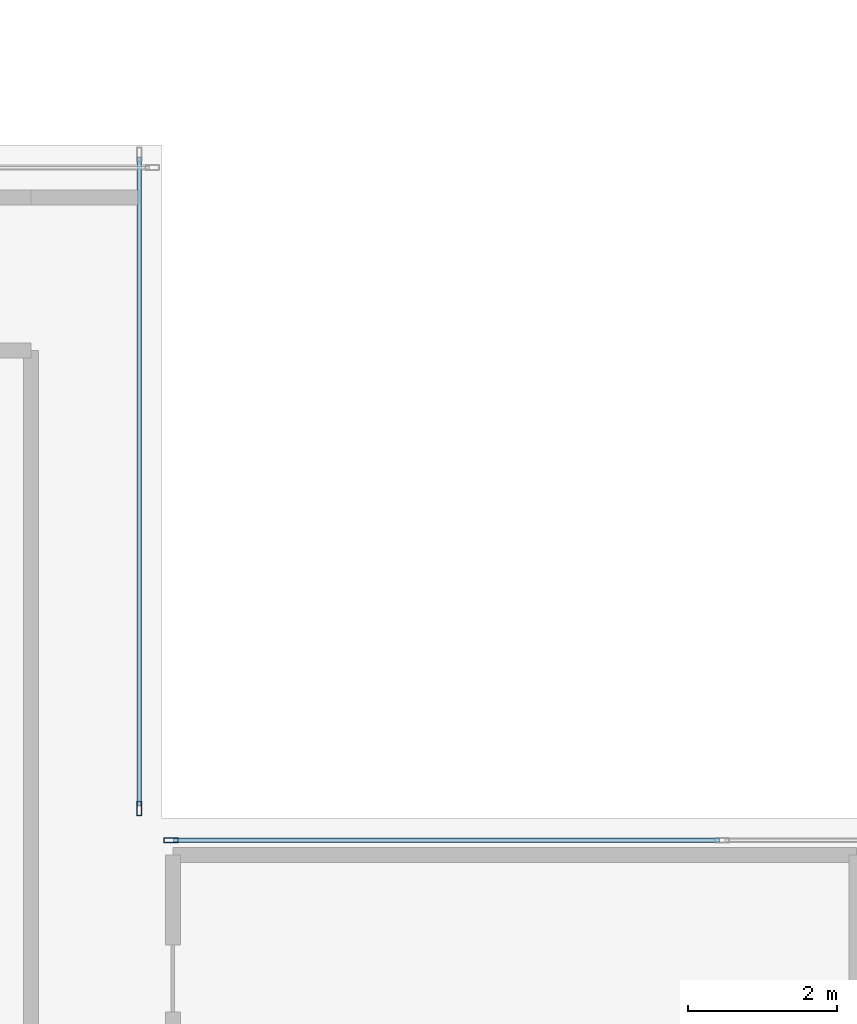
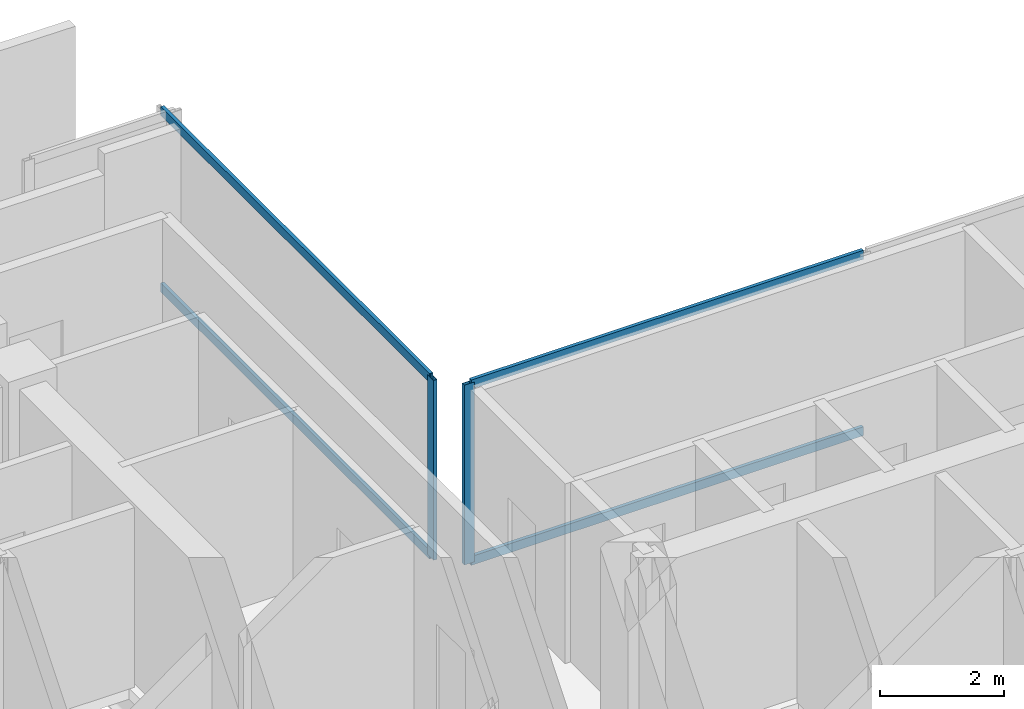
# One storey, part 9 of 22: 6 members, 2 elements without a shape of their own.
"""IFC4 building model written with IfcOpenShell, lengths in metres."""

import ifcopenshell
import ifcopenshell.guid

model = None  # the IFC model being written
_history = None  # IfcOwnerHistory: only IFC2X3 demands one
_inside = {}  # id of a spatial element -> (the spatial element, [elements in it])
_under = {}  # id of a project, library or spatial element -> (it, [spatial elements below it])
_declared = {}  # id of a project -> (the project, [libraries it declares])
_typed = {}  # id of a type object -> (the type object, [elements of that type])
_made_of = {}  # id of a material, layer set ... -> (it, [elements and type objects made of it])


def new_model(schema):
    """Start an empty IFC model of exactly this schema.

    Asked for "IFC4X3", IfcOpenShell would pick the latest addendum, in which some entities
    have other attributes; the version numbers below select the first issue.
    IFC2X3 requires an IfcOwnerHistory on every rooted entity: one is made here for all.
    """
    global model, _history
    if schema == "IFC4X3":
        model = ifcopenshell.file(schema_version=(4, 3, 0, 0))
    else:
        model = ifcopenshell.file(schema=schema)
    _inside.clear()
    _under.clear()
    _declared.clear()
    _typed.clear()
    _made_of.clear()
    _history = None
    if model.schema == "IFC2X3":
        org = make("IfcOrganization", Name="unknown")
        user = make(
            "IfcPersonAndOrganization",
            ThePerson=make("IfcPerson", FamilyName="unknown"),
            TheOrganization=org,
        )
        app = make(
            "IfcApplication",
            ApplicationDeveloper=org,
            Version="unknown",
            ApplicationFullName="unknown",
            ApplicationIdentifier="unknown",
        )
        _history = make(
            "IfcOwnerHistory",
            OwningUser=user,
            OwningApplication=app,
            ChangeAction="ADDED",
            CreationDate=0,
        )
    return model


def make(cls, **values):
    """One entity of the class cls with the attributes given. An attribute that is None is left unset."""
    return model.create_entity(
        cls, **{name: value for name, value in values.items() if value is not None}
    )


def rooted(cls, **values):
    """An entity with a GlobalId (a new one), such as an element, a storey or a relation."""
    return make(cls, GlobalId=ifcopenshell.guid.new(), OwnerHistory=_history, **values)


def si_unit(unit_type, name, prefix=None):
    """IfcSIUnit, for example si_unit("LENGTHUNIT", "METRE", prefix="MILLI")."""
    return make("IfcSIUnit", UnitType=unit_type, Prefix=prefix, Name=name)


def assignment(units):
    """IfcUnitAssignment: the units of a project."""
    return None if units is None else make("IfcUnitAssignment", Units=units)


def point(xyz):
    """IfcCartesianPoint."""
    return None if xyz is None else make("IfcCartesianPoint", Coordinates=xyz)


def direction(xyz):
    """IfcDirection."""
    return None if xyz is None else make("IfcDirection", DirectionRatios=xyz)


def frame(location, z_axis=None, x_axis=None):
    """IfcAxis2Placement3D, a coordinate frame: its origin and axes. An axis left out is left unset."""
    return make(
        "IfcAxis2Placement3D",
        Location=point(location),
        Axis=direction(z_axis),
        RefDirection=direction(x_axis),
    )


def frame_2d(location, x_axis=None):
    """IfcAxis2Placement2D, a coordinate frame in the plane: its origin and x axis."""
    return make(
        "IfcAxis2Placement2D", Location=point(location), RefDirection=direction(x_axis)
    )


def origin():
    """The frame at (0, 0, 0) with its axes left unset."""
    return frame((0.0, 0.0, 0.0))


def origin_2d():
    """The frame at (0, 0) in the plane with its x axis left unset."""
    return frame_2d((0.0, 0.0))


def place(relative_to, where):
    """IfcLocalPlacement: puts the frame where relative to a parent placement (None: the world)."""
    return make(
        "IfcLocalPlacement", PlacementRelTo=relative_to, RelativePlacement=where
    )


def context(
    kind, dimensions, precision=None, world=None, true_north=None, identifier=None
):
    """IfcGeometricRepresentationContext, for example the 3D "Model" context."""
    return make(
        "IfcGeometricRepresentationContext",
        ContextIdentifier=identifier,
        ContextType=kind,
        CoordinateSpaceDimension=dimensions,
        Precision=precision,
        WorldCoordinateSystem=world,
        TrueNorth=true_north,
    )


def subcontext(parent, identifier, kind, view, scale=None):
    """IfcGeometricRepresentationSubContext, for example "Body" below "Model"."""
    return make(
        "IfcGeometricRepresentationSubContext",
        ContextIdentifier=identifier,
        ContextType=kind,
        ParentContext=parent,
        TargetScale=scale,
        TargetView=view,
    )


def project(units=None, contexts=None):
    """IfcProject with its units and contexts."""
    return rooted(
        "IfcProject",
        Name="project",
        RepresentationContexts=contexts,
        UnitsInContext=assignment(units),
    )


def spatial(cls, under=None, at=None, **own):
    """A site, building, storey or space (cls), placed at a placement, below another one or the project."""
    s = rooted(cls, ObjectPlacement=at, **own)
    if under is not None:
        _under.setdefault(under.id(), (under, []))[1].append(s)
    return s


def profile(cls, at=None, kind="AREA", **sizes):
    """A parametric profile (cls). Its sizes go by their IFC names, for example OverallWidth=200.0."""
    return make(cls, ProfileType=kind, Position=at, **sizes)


def hollow_rectangle(**sizes):
    """IfcRectangleHollowProfileDef."""
    return profile("IfcRectangleHollowProfileDef", **sizes)


def extrude(swept, where, along, depth):
    """IfcExtrudedAreaSolid: the profile swept, set in the frame where, extruded along a direction by depth."""
    return make(
        "IfcExtrudedAreaSolid",
        SweptArea=swept,
        Position=where,
        ExtrudedDirection=direction(along),
        Depth=depth,
    )


def shape(context_of_items, identifier, shape_type, items):
    """IfcShapeRepresentation: the items that make up one representation, for example the "Body"."""
    return make(
        "IfcShapeRepresentation",
        ContextOfItems=context_of_items,
        RepresentationIdentifier=identifier,
        RepresentationType=shape_type,
        Items=items,
    )


def material(Name=None, Category=None):
    """IfcMaterial."""
    return make("IfcMaterial", Name=Name, Category=Category)


def layer(
    of_material, thickness, ventilated=None, Name=None, Category=None, Priority=None
):
    """IfcMaterialLayer: one layer of a wall or slab, of a material (None: an air gap)."""
    return make(
        "IfcMaterialLayer",
        Material=of_material,
        LayerThickness=thickness,
        IsVentilated=ventilated,
        Name=Name,
        Category=Category,
        Priority=Priority,
    )


def layer_set(layers, Name=None):
    """IfcMaterialLayerSet."""
    return make("IfcMaterialLayerSet", MaterialLayers=layers, LayerSetName=Name)


def material_profile(
    of_material, cross_section, Name=None, Category=None, Priority=None
):
    """IfcMaterialProfile: a cross section and its material."""
    return make(
        "IfcMaterialProfile",
        Name=Name,
        Material=of_material,
        Profile=cross_section,
        Priority=Priority,
        Category=Category,
    )


def profile_set(profiles, Name=None, composite=None):
    """IfcMaterialProfileSet."""
    return make(
        "IfcMaterialProfileSet",
        Name=Name,
        MaterialProfiles=profiles,
        CompositeProfile=composite,
    )


def made_of(thing, what):
    """Note that an element or type object is made of a material, layer set ...; save() writes the relation."""
    if what is not None:
        _made_of.setdefault(what.id(), (what, []))[1].append(thing)
    return thing


def type_object(cls, material=None, **own):
    """A type object (cls), such as IfcWallType, which elements share."""
    return made_of(rooted(cls, **own), material)


def element(
    cls,
    number,
    at=None,
    inside=None,
    cuts=None,
    type_object=None,
    material=None,
    context=None,
    identifier="Body",
    shape_type=None,
    held_by="IfcProductDefinitionShape",
    body=None,
    shapes=None,
    **own,
):
    """One element of the class cls, such as IfcWall. Its Tag is "e" and its number.

    at: its placement. inside: the storey or other place that contains it. cuts: it is an
    opening in that element (IfcRelVoidsElement). A single representation is given by context,
    identifier, shape_type and body (its items); several are given by shapes. held_by: the class
    of the entity that holds the representations. save() writes the other relations.
    """
    e = rooted(cls, Tag="e%d" % number, ObjectPlacement=at, **own)
    if body is not None:
        shapes = [shape(context, identifier, shape_type, body)]
    if shapes is not None:
        e.Representation = make(held_by, Representations=shapes)
    if inside is not None:
        _inside.setdefault(inside.id(), (inside, []))[1].append(e)
    if cuts is not None:
        rooted(
            "IfcRelVoidsElement", RelatingBuildingElement=cuts, RelatedOpeningElement=e
        )
    if type_object is not None:
        _typed.setdefault(type_object.id(), (type_object, []))[1].append(e)
    return made_of(e, material)


def aggregate(whole, parts):
    """IfcRelAggregates: a whole, such as a stair, and the parts it consists of."""
    return rooted("IfcRelAggregates", RelatingObject=whole, RelatedObjects=parts)


def save(model, path):
    """Write the relations noted so far, then the file.

    IfcRelAggregates (storeys below a building ...), IfcRelContainedInSpatialStructure (elements
    in a storey), IfcRelDefinesByType, IfcRelAssociatesMaterial and IfcRelDeclares: one each for
    every whole, place, type object, material and project.
    """
    for whole, parts in _under.values():
        aggregate(whole, parts)
    for where, things in _inside.values():
        rooted(
            "IfcRelContainedInSpatialStructure",
            RelatedElements=things,
            RelatingStructure=where,
        )
    for kind, things in _typed.values():
        rooted("IfcRelDefinesByType", RelatedObjects=things, RelatingType=kind)
    for what, things in _made_of.values():
        rooted("IfcRelAssociatesMaterial", RelatedObjects=things, RelatingMaterial=what)
    for by, libraries in _declared.values():
        rooted("IfcRelDeclares", RelatingContext=by, RelatedDefinitions=libraries)
    model.write(path)


model = new_model("IFC4")

# Units and contexts
model_context = context("Model", 3, precision=1e-05, world=origin(), true_north=direction((0.0, 1.0)))
body_context = subcontext(model_context, "Body", "Model", "MODEL_VIEW")
ifc_project = project(units=[si_unit("LENGTHUNIT", "METRE"), si_unit("AREAUNIT", "SQUARE_METRE"), si_unit("VOLUMEUNIT", "CUBIC_METRE"), si_unit("PLANEANGLEUNIT", "RADIAN"), si_unit("MASSUNIT", "GRAM", prefix="KILO"), si_unit("THERMODYNAMICTEMPERATUREUNIT", "KELVIN"), si_unit("POWERUNIT", "WATT")], contexts=[model_context])

# Site, building, storey
site_placement = place(None, origin())
site = spatial("IfcSite", under=ifc_project, at=site_placement, CompositionType="ELEMENT")
building_placement = place(site_placement, origin())
building = spatial("IfcBuilding", under=site, at=building_placement, Name="Svarakhadi Broadcast Tower", CompositionType="ELEMENT")
storey_placement = place(building_placement, frame((0.0, 0.0, 176.699951171875)))
storey = spatial("IfcBuildingStorey", under=building, at=storey_placement, Name="L43", CompositionType="ELEMENT", Elevation=176.699951171875)

# Curtain wall, member
ifc_material = material(Name="Anodised Bronze Aluminium AA 6063-T6", Category="aluminium")
ifc_layer = layer(ifc_material, 0.18994140625)
ifc_layer_set = layer_set([ifc_layer], Name="Anodised Bronze Aluminium AA 6063-T6")
curtain_wall_type = type_object("IfcCurtainWallType", Name="CW_Sys_04", PredefinedType="NOTDEFINED", material=ifc_layer_set)
curtain_wall_1_placement = place(storey_placement, origin())
curtain_wall_1 = element("IfcCurtainWall", 1, at=curtain_wall_1_placement, inside=storey, type_object=curtain_wall_type, Name="L43 Unitised Facade Curtain Wall 09", PredefinedType="NOTDEFINED")
ifc_material_profile_1 = material_profile(ifc_material, hollow_rectangle(XDim=0.070068359375, YDim=0.18994140625, WallThickness=0.005615234375, at=origin_2d()), Name="ALU MULLION 190x70x6")
ifc_profile_set_1 = profile_set([ifc_material_profile_1], Name="Anodised Bronze Aluminium AA 6063-T6")
member_type_1 = type_object("IfcMemberType", Name="CW_Sys_04_Mul", PredefinedType="MULLION", material=ifc_profile_set_1)
member_1_placement = place(storey_placement, frame((23.699951171875, 24.125, 0.0), z_axis=(0.0, 0.0, 1.0), x_axis=(1.0, 0.0, 0.0)))
member_1 = element("IfcMember", 2, at=member_1_placement, type_object=member_type_1, Name="CW-04 mullion 2", PredefinedType="MULLION", context=body_context, shape_type="SweptSolid", body=[
    extrude(hollow_rectangle(XDim=0.070068359375, YDim=0.18994140625, WallThickness=0.005615234375, at=origin_2d()), origin(), (0.0, 0.0, 1.0), 3.5400390625),
])

curtain_wall_2_placement = place(storey_placement, origin())
curtain_wall_2 = element("IfcCurtainWall", 3, at=curtain_wall_2_placement, inside=storey, type_object=curtain_wall_type, Name="L43 Unitised Facade Curtain Wall 10", PredefinedType="NOTDEFINED")
member_2_placement = place(storey_placement, frame((24.125, 23.699951171875, 0.0), z_axis=(0.0, 0.0, 1.0), x_axis=(0.0, 1.0, 0.0)))
member_2 = element("IfcMember", 4, at=member_2_placement, type_object=member_type_1, Name="CW-04 mullion 1", PredefinedType="MULLION", context=body_context, shape_type="SweptSolid", body=[
    extrude(hollow_rectangle(XDim=0.070068359375, YDim=0.18994140625, WallThickness=0.005615234375, at=origin_2d()), origin(), (0.0, 0.0, 1.0), 3.5400390625),
])

# Member
ifc_material_profile_2 = material_profile(ifc_material, hollow_rectangle(XDim=0.06494140625, YDim=0.175048828125, WallThickness=0.0048828125, at=origin_2d()), Name="ALU TRANSOM 175x65x5")
ifc_profile_set_2 = profile_set([ifc_material_profile_2], Name="Anodised Bronze Aluminium AA 6063-T6")
member_type_2 = type_object("IfcMemberType", Name="CW_Sys_04_Trn", PredefinedType="USERDEFINED", material=ifc_profile_set_2)
member_3_placement = place(storey_placement, frame((23.699951171875, 32.840087890625, 0.032470703125), z_axis=(0.0, -1.0, 0.0), x_axis=(1.0, 0.0, 0.0)))
member_3 = element("IfcMember", 5, at=member_3_placement, type_object=member_type_2, Name="CW-04 transom 1.1", ObjectType="TRANSOM", PredefinedType="USERDEFINED", context=body_context, shape_type="SweptSolid", body=[
    extrude(hollow_rectangle(XDim=0.06494140625, YDim=0.175048828125, WallThickness=0.0048828125, at=origin_2d()), origin(), (0.0, 0.0, 1.0), 8.68017578125),
])

member_4_placement = place(storey_placement, frame((23.699951171875, 32.840087890625, 3.507568359375), z_axis=(0.0, -1.0, 0.0), x_axis=(1.0, 0.0, 0.0)))
member_4 = element("IfcMember", 6, at=member_4_placement, type_object=member_type_2, Name="CW-04 transom 1.2", ObjectType="TRANSOM", PredefinedType="USERDEFINED", context=body_context, shape_type="SweptSolid", body=[
    extrude(hollow_rectangle(XDim=0.06494140625, YDim=0.175048828125, WallThickness=0.0048828125, at=origin_2d()), origin(), (0.0, 0.0, 1.0), 8.68017578125),
])

aggregate(curtain_wall_1, [member_1, member_3, member_4])

member_5_placement = place(storey_placement, frame((24.159912109375, 23.699951171875, 0.032470703125), z_axis=(1.0, 0.0, 0.0), x_axis=(0.0, 1.0, 0.0)))
member_5 = element("IfcMember", 7, at=member_5_placement, type_object=member_type_2, Name="CW-04 transom 1.1", ObjectType="TRANSOM", PredefinedType="USERDEFINED", context=body_context, shape_type="SweptSolid", body=[
    extrude(hollow_rectangle(XDim=0.06494140625, YDim=0.175048828125, WallThickness=0.0048828125, at=origin_2d()), origin(), (0.0, 0.0, 1.0), 7.30517578125),
])

member_6_placement = place(storey_placement, frame((24.159912109375, 23.699951171875, 3.507568359375), z_axis=(1.0, 0.0, 0.0), x_axis=(0.0, 1.0, 0.0)))
member_6 = element("IfcMember", 8, at=member_6_placement, type_object=member_type_2, Name="CW-04 transom 1.2", ObjectType="TRANSOM", PredefinedType="USERDEFINED", context=body_context, shape_type="SweptSolid", body=[
    extrude(hollow_rectangle(XDim=0.06494140625, YDim=0.175048828125, WallThickness=0.0048828125, at=origin_2d()), origin(), (0.0, 0.0, 1.0), 7.30517578125),
])

aggregate(curtain_wall_2, [member_2, member_5, member_6])

save(model, "model.ifc")
